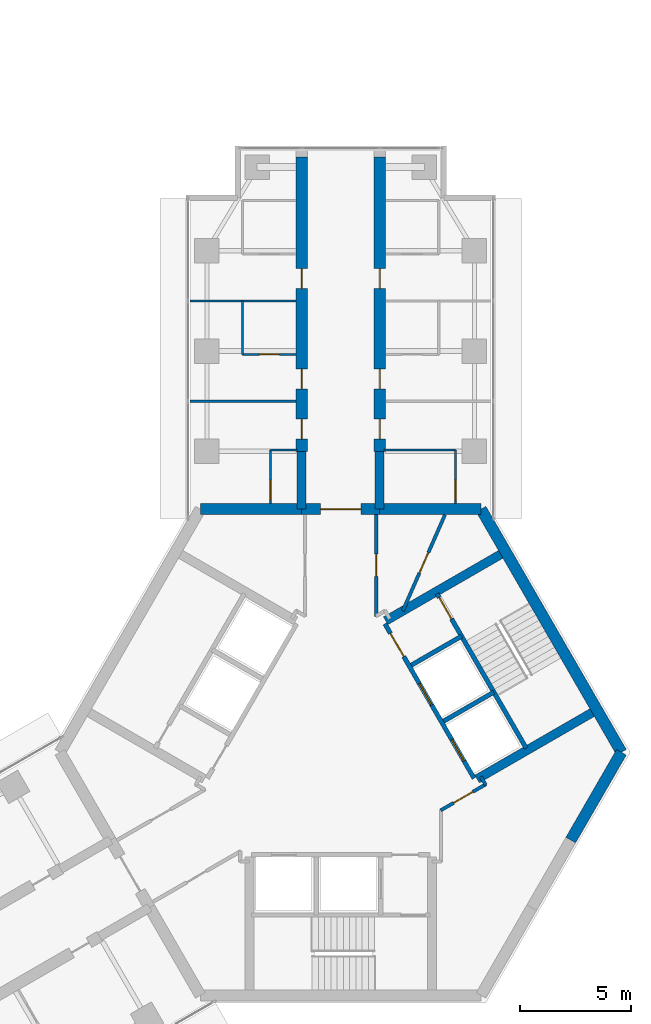
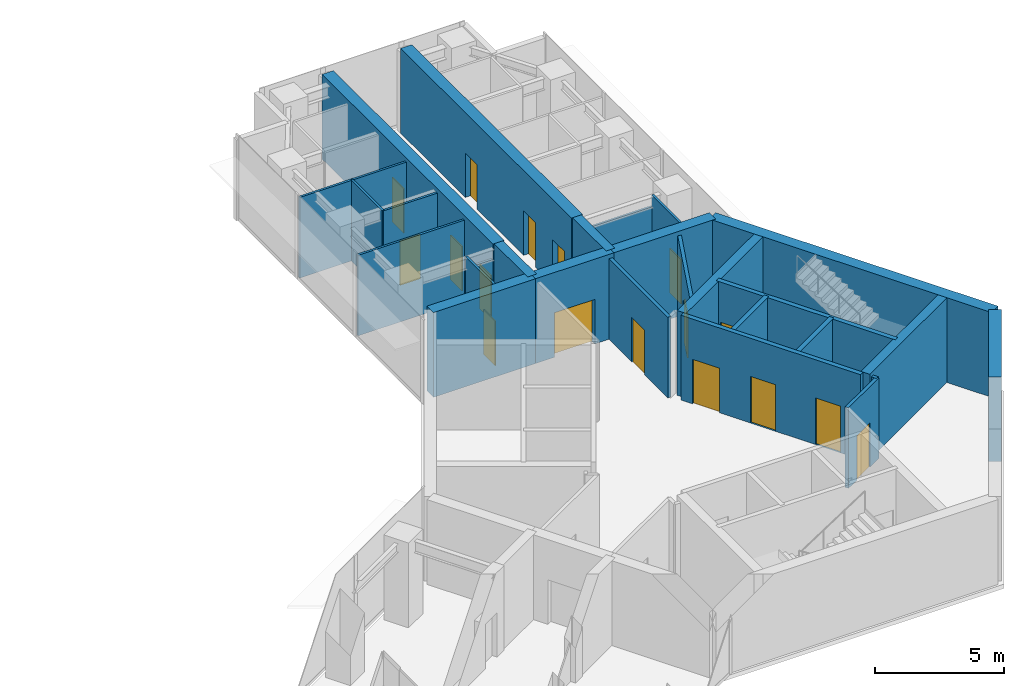
# One storey, part 15 of 18: 27 walls, 17 doors, 17 openings.
"""IFC4 building model written with IfcOpenShell, lengths in metres."""

from ifc_helpers import new_model, si_unit, direction, frame, frame_2d, origin, place, context, subcontext, project, spatial, rectangle, extrude, material, layer, layer_set, type_object, element, fill, save


model = new_model("IFC4")

# Units and contexts
model_context = context("Model", 3, precision=1e-05, world=origin(), true_north=direction((0.0, 1.0)))
body_context = subcontext(model_context, "Body", "Model", "MODEL_VIEW")
ifc_project = project(units=[si_unit("LENGTHUNIT", "METRE"), si_unit("AREAUNIT", "SQUARE_METRE"), si_unit("VOLUMEUNIT", "CUBIC_METRE"), si_unit("PLANEANGLEUNIT", "RADIAN"), si_unit("MASSUNIT", "GRAM", prefix="KILO")], contexts=[model_context])

# Site, building, storey
site_placement = place(None, origin())
site = spatial("IfcSite", under=ifc_project, at=site_placement, CompositionType="ELEMENT")
building_placement = place(site_placement, origin())
building = spatial("IfcBuilding", under=site, at=building_placement, Name="Upepo Twin Towers", CompositionType="ELEMENT")
storey_placement = place(building_placement, frame((0.0, 0.0, 226.5)))
storey = spatial("IfcBuildingStorey", under=building, at=storey_placement, Name="L55", CompositionType="ELEMENT", Elevation=226.5)

# Walls
ifc_material_1 = material(Name="Concrete C60/75", Category="concrete")
ifc_layer_1 = layer(ifc_material_1, 0.39990234375)
ifc_layer_set_1 = layer_set([ifc_layer_1], Name="Concrete C60/75")
wall_type_1 = type_object("IfcWallType", Name="Buttress wall 400 RC", PredefinedType="SHEAR", material=ifc_layer_set_1)
for number, where, z_axis, x_axis, name in (
    (1, (56.75, -7.091552734375, 0.0), (0.0, 0.0, 1.0), (0.0, 1.0, 0.0), "T2 wing A buttress wall L"),
    (2, (60.25, -7.091552734375, 0.0), (0.0, 0.0, 1.0), (0.0, 1.0, 0.0), "T2 wing A buttress wall R"),
):
    element("IfcWall", number, at=place(storey_placement, frame(where, z_axis=z_axis, x_axis=x_axis)), inside=storey, type_object=wall_type_1, Name=name, PredefinedType="SHEAR", context=body_context, shape_type="SweptSolid", body=[
        extrude(rectangle(XDim=2.591552734375, YDim=0.39990234375, at=frame_2d((1.2958984375, 0.0))), origin(), (0.0, 0.0, 1.0), 4.0),
    ])

# Wall, openings, doors
ifc_material_2 = material(Name="Concrete C60/75", Category="concrete")
ifc_layer_2 = layer(ifc_material_2, 0.5)
ifc_layer_set_2 = layer_set([ifc_layer_2], Name="Concrete C60/75")
wall_type_2 = type_object("IfcWallType", Name="Buttress wall 500 RC", PredefinedType="SHEAR", material=ifc_layer_set_2)
wall_1_placement = place(storey_placement, frame((56.75, -4.5, 0.0), z_axis=(0.0, 0.0, 1.0), x_axis=(0.0, 1.0, 0.0)))
wall_1 = element("IfcWall", 3, at=wall_1_placement, inside=storey, type_object=wall_type_2, Name="T2 wing A buttress wall L part 2", PredefinedType="SHEAR", context=body_context, shape_type="SweptSolid", body=[
    extrude(rectangle(XDim=13.199951171875, YDim=0.5, at=frame_2d((6.60009765625, 0.0))), origin(), (0.0, 0.0, 1.0), 4.0),
])
opening_1_placement = place(wall_1_placement, frame((0.550048828125, 0.0, 0.0)))
opening_1 = element("IfcOpeningElement", 4, at=opening_1_placement, cuts=wall_1, Name="Opening D11", PredefinedType="OPENING", context=body_context, shape_type="SweptSolid", body=[
    extrude(rectangle(XDim=0.89990234375, YDim=2.10009765625, at=frame_2d((0.449951171875, 1.050048828125))), frame((0.0, 0.260009765625, 0.0), z_axis=(0.0, -1.0, 0.0), x_axis=(1.0, 0.0, 0.0)), (0.0, 0.0, 1.0), 0.52001953125),
])
opening_2_placement = place(wall_1_placement, frame((2.800048828125, 0.0, 0.0)))
opening_2 = element("IfcOpeningElement", 5, at=opening_2_placement, cuts=wall_1, Name="Opening D14", PredefinedType="OPENING", context=body_context, shape_type="SweptSolid", body=[
    extrude(rectangle(XDim=0.89990234375, YDim=2.10009765625, at=frame_2d((0.449951171875, 1.050048828125))), frame((0.0, 0.260009765625, 0.0), z_axis=(0.0, -1.0, 0.0), x_axis=(1.0, 0.0, 0.0)), (0.0, 0.0, 1.0), 0.52001953125),
])
opening_3_placement = place(wall_1_placement, frame((7.300048828125, 0.0, 0.0)))
opening_3 = element("IfcOpeningElement", 6, at=opening_3_placement, cuts=wall_1, Name="Opening D14", PredefinedType="OPENING", context=body_context, shape_type="SweptSolid", body=[
    extrude(rectangle(XDim=0.89990234375, YDim=2.10009765625, at=frame_2d((0.449951171875, 1.050048828125))), frame((0.0, 0.260009765625, 0.0), z_axis=(0.0, -1.0, 0.0), x_axis=(1.0, 0.0, 0.0)), (0.0, 0.0, 1.0), 0.52001953125),
])
ifc_material_3 = material(Name="Timber doorset", Category="wood")
door_type_1 = type_object("IfcDoorType", Name="Office door 900 FD30", OperationType="SINGLE_SWING_LEFT", PredefinedType="DOOR", material=ifc_material_3)
door_1_placement = place(opening_2_placement, origin())
door_1 = element("IfcDoor", 7, at=door_1_placement, inside=storey, type_object=door_type_1, Name="T2 L55 staff office door", OperationType="SINGLE_SWING_LEFT", OverallHeight=2.10009765625, OverallWidth=0.89990234375, PredefinedType="DOOR", context=body_context, shape_type="SweptSolid", body=[
    extrude(rectangle(XDim=0.89990234375, YDim=2.10009765625, at=frame_2d((0.449951171875, 1.050048828125))), frame((0.0, 0.02490234375, 0.0), z_axis=(0.0, -1.0, 0.0), x_axis=(1.0, 0.0, 0.0)), (0.0, 0.0, 1.0), 0.050048828125),
])
fill(opening_2, door_1)
door_2_placement = place(opening_3_placement, origin())
door_2 = element("IfcDoor", 8, at=door_2_placement, inside=storey, type_object=door_type_1, Name="T2 L55 meeting room door", OperationType="SINGLE_SWING_RIGHT", OverallHeight=2.10009765625, OverallWidth=0.89990234375, PredefinedType="DOOR", context=body_context, shape_type="SweptSolid", body=[
    extrude(rectangle(XDim=0.89990234375, YDim=2.10009765625, at=frame_2d((0.449951171875, 1.050048828125))), frame((0.0, 0.02490234375, 0.0), z_axis=(0.0, -1.0, 0.0), x_axis=(1.0, 0.0, 0.0)), (0.0, 0.0, 1.0), 0.050048828125),
])
fill(opening_3, door_2)
ifc_material_4 = material(Name="Timber doorset", Category="wood")
door_type_2 = type_object("IfcDoorType", Name="Toilet door 900", OperationType="SINGLE_SWING_LEFT", PredefinedType="DOOR", material=ifc_material_4)
door_3_placement = place(opening_1_placement, origin())
door_3 = element("IfcDoor", 9, at=door_3_placement, inside=storey, type_object=door_type_2, Name="T2 L55 toilets door", OperationType="SINGLE_SWING_LEFT", OverallHeight=2.10009765625, OverallWidth=0.89990234375, PredefinedType="DOOR", context=body_context, shape_type="SweptSolid", body=[
    extrude(rectangle(XDim=0.89990234375, YDim=2.10009765625, at=frame_2d((0.449951171875, 1.050048828125))), frame((0.0, 0.02490234375, 0.0), z_axis=(0.0, -1.0, 0.0), x_axis=(1.0, 0.0, 0.0)), (0.0, 0.0, 1.0), 0.050048828125),
])
fill(opening_1, door_3)

wall_2_placement = place(storey_placement, frame((60.25, -4.5, 0.0), z_axis=(0.0, 0.0, 1.0), x_axis=(0.0, 1.0, 0.0)))
wall_2 = element("IfcWall", 10, at=wall_2_placement, inside=storey, type_object=wall_type_2, Name="T2 wing A buttress wall R part 2", PredefinedType="SHEAR", context=body_context, shape_type="SweptSolid", body=[
    extrude(rectangle(XDim=13.199951171875, YDim=0.5, at=frame_2d((6.60009765625, 0.0))), origin(), (0.0, 0.0, 1.0), 4.0),
])
opening_4_placement = place(wall_2_placement, frame((0.550048828125, 0.0, 0.0)))
opening_4 = element("IfcOpeningElement", 11, at=opening_4_placement, cuts=wall_2, Name="Opening D11", PredefinedType="OPENING", context=body_context, shape_type="SweptSolid", body=[
    extrude(rectangle(XDim=0.89990234375, YDim=2.10009765625, at=frame_2d((0.449951171875, 1.050048828125))), frame((0.0, 0.260009765625, 0.0), z_axis=(0.0, -1.0, 0.0), x_axis=(1.0, 0.0, 0.0)), (0.0, 0.0, 1.0), 0.52001953125),
])
opening_5_placement = place(wall_2_placement, frame((2.800048828125, 0.0, 0.0)))
opening_5 = element("IfcOpeningElement", 12, at=opening_5_placement, cuts=wall_2, Name="Opening D14", PredefinedType="OPENING", context=body_context, shape_type="SweptSolid", body=[
    extrude(rectangle(XDim=0.89990234375, YDim=2.10009765625, at=frame_2d((0.449951171875, 1.050048828125))), frame((0.0, 0.260009765625, 0.0), z_axis=(0.0, -1.0, 0.0), x_axis=(1.0, 0.0, 0.0)), (0.0, 0.0, 1.0), 0.52001953125),
])
opening_6_placement = place(wall_2_placement, frame((7.300048828125, 0.0, 0.0)))
opening_6 = element("IfcOpeningElement", 13, at=opening_6_placement, cuts=wall_2, Name="Opening D14", PredefinedType="OPENING", context=body_context, shape_type="SweptSolid", body=[
    extrude(rectangle(XDim=0.89990234375, YDim=2.10009765625, at=frame_2d((0.449951171875, 1.050048828125))), frame((0.0, 0.260009765625, 0.0), z_axis=(0.0, -1.0, 0.0), x_axis=(1.0, 0.0, 0.0)), (0.0, 0.0, 1.0), 0.52001953125),
])
door_4_placement = place(opening_5_placement, origin())
door_4 = element("IfcDoor", 14, at=door_4_placement, inside=storey, type_object=door_type_1, Name="T2 L55 staff office door", OperationType="SINGLE_SWING_LEFT", OverallHeight=2.10009765625, OverallWidth=0.89990234375, PredefinedType="DOOR", context=body_context, shape_type="SweptSolid", body=[
    extrude(rectangle(XDim=0.89990234375, YDim=2.10009765625, at=frame_2d((0.449951171875, 1.050048828125))), frame((0.0, 0.02490234375, 0.0), z_axis=(0.0, -1.0, 0.0), x_axis=(1.0, 0.0, 0.0)), (0.0, 0.0, 1.0), 0.050048828125),
])
fill(opening_5, door_4)
door_5_placement = place(opening_6_placement, origin())
door_5 = element("IfcDoor", 15, at=door_5_placement, inside=storey, type_object=door_type_1, Name="T2 L55 postgraduate office door", OperationType="SINGLE_SWING_RIGHT", OverallHeight=2.10009765625, OverallWidth=0.89990234375, PredefinedType="DOOR", context=body_context, shape_type="SweptSolid", body=[
    extrude(rectangle(XDim=0.89990234375, YDim=2.10009765625, at=frame_2d((0.449951171875, 1.050048828125))), frame((0.0, 0.02490234375, 0.0), z_axis=(0.0, -1.0, 0.0), x_axis=(1.0, 0.0, 0.0)), (0.0, 0.0, 1.0), 0.050048828125),
])
fill(opening_6, door_5)
door_6_placement = place(opening_4_placement, origin())
door_6 = element("IfcDoor", 16, at=door_6_placement, inside=storey, type_object=door_type_2, Name="T2 L55 accessible wc door", OperationType="SINGLE_SWING_LEFT", OverallHeight=2.10009765625, OverallWidth=0.89990234375, PredefinedType="DOOR", context=body_context, shape_type="SweptSolid", body=[
    extrude(rectangle(XDim=0.89990234375, YDim=2.10009765625, at=frame_2d((0.449951171875, 1.050048828125))), frame((0.0, 0.02490234375, 0.0), z_axis=(0.0, -1.0, 0.0), x_axis=(1.0, 0.0, 0.0)), (0.0, 0.0, 1.0), 0.050048828125),
])
fill(opening_4, door_6)

# Wall
ifc_material_5 = material(Name="Concrete C60/75", Category="concrete")
ifc_layer_3 = layer(ifc_material_5, 0.5)
ifc_layer_set_3 = layer_set([ifc_layer_3], Name="Concrete C60/75")
wall_type_3 = type_object("IfcWallType", Name="Core wall 500 RC", PredefinedType="SHEAR", material=ifc_layer_set_3)
wall_3_placement = place(storey_placement, frame((64.7978515625, -7.091552734375, 0.0), z_axis=(0.0, 0.0, 1.0), x_axis=(-1.0, 0.0, 0.0)))
element("IfcWall", 17, at=wall_3_placement, inside=storey, type_object=wall_type_3, Name="T2 core wall 000 R", PredefinedType="SHEAR", context=body_context, shape_type="SweptSolid", body=[
    extrude(rectangle(XDim=4.5478515625, YDim=0.5, at=frame_2d((2.27392578125, 0.0))), origin(), (0.0, 0.0, 1.0), 4.0),
])

# Wall, opening, door
wall_4_placement = place(storey_placement, frame((60.25, -7.091552734375, 0.0), z_axis=(0.0, 0.0, 1.0), x_axis=(-1.0, 0.0, 0.0)))
wall_4 = element("IfcWall", 18, at=wall_4_placement, inside=storey, type_object=wall_type_3, Name="T2 core wall 000", PredefinedType="SHEAR", context=body_context, shape_type="SweptSolid", body=[
    extrude(rectangle(XDim=3.5, YDim=0.5, at=frame_2d((1.75, 0.0))), origin(), (0.0, 0.0, 1.0), 4.0),
])
opening_7_placement = place(wall_4_placement, frame((0.85009765625, 0.0, 0.0)))
opening_7 = element("IfcOpeningElement", 19, at=opening_7_placement, cuts=wall_4, Name="Opening D2", PredefinedType="OPENING", context=body_context, shape_type="SweptSolid", body=[
    extrude(rectangle(XDim=1.800048828125, YDim=2.10009765625, at=frame_2d((0.89990234375, 1.050048828125))), frame((0.0, 0.260009765625, 0.0), z_axis=(0.0, -1.0, 0.0), x_axis=(1.0, 0.0, 0.0)), (0.0, 0.0, 1.0), 0.52001953125),
])
ifc_material_6 = material(Name="Timber doorset", Category="wood")
door_type_3 = type_object("IfcDoorType", Name="Corridor double door 1800 FD60", OperationType="DOUBLE_DOOR_DOUBLE_SWING", PredefinedType="DOOR", material=ifc_material_6)
door_7_placement = place(opening_7_placement, origin())
door_7 = element("IfcDoor", 20, at=door_7_placement, inside=storey, type_object=door_type_3, Name="T2 L55 wing A corridor door", OperationType="DOUBLE_DOOR_DOUBLE_SWING", OverallHeight=2.10009765625, OverallWidth=1.800048828125, PredefinedType="DOOR", context=body_context, shape_type="SweptSolid", body=[
    extrude(rectangle(XDim=1.800048828125, YDim=2.10009765625, at=frame_2d((0.89990234375, 1.050048828125))), frame((0.0, 0.02490234375, 0.0), z_axis=(0.0, -1.0, 0.0), x_axis=(1.0, 0.0, 0.0)), (0.0, 0.0, 1.0), 0.050048828125),
])
fill(opening_7, door_7)

# Walls
wall_5_placement = place(storey_placement, frame((56.75, -7.091552734375, 0.0), z_axis=(0.0, 0.0, 1.0), x_axis=(-1.0, 0.0, 0.0)))
element("IfcWall", 21, at=wall_5_placement, inside=storey, type_object=wall_type_3, Name="T2 core wall 000 L", PredefinedType="SHEAR", context=body_context, shape_type="SweptSolid", body=[
    extrude(rectangle(XDim=4.5478515625, YDim=0.5, at=frame_2d((2.27392578125, 0.0))), origin(), (0.0, 0.0, 1.0), 4.0),
])
wall_6_placement = place(storey_placement, frame((68.82177734375, -21.938720703125, 0.0), z_axis=(0.0, 0.0, 1.0), x_axis=(0.500024481964, 0.866011268655, 0.0)))
element("IfcWall", 22, at=wall_6_placement, inside=storey, type_object=wall_type_3, Name="T2 core wall 240 L", PredefinedType="SHEAR", context=body_context, shape_type="SweptSolid", body=[
    extrude(rectangle(XDim=4.548095703125, YDim=0.5, at=frame_2d((2.27392578125, 0.0))), origin(), (0.0, 0.0, 1.0), 4.0),
])
wall_7_placement = place(storey_placement, frame((71.095947265625, -18.0, 0.0), z_axis=(0.0, 0.0, 1.0), x_axis=(-0.500005998175, 0.866021940709, 0.0)))
element("IfcWall", 23, at=wall_7_placement, inside=storey, type_object=wall_type_3, Name="T2 core wall 300", PredefinedType="SHEAR", context=body_context, shape_type="SweptSolid", body=[
    extrude(rectangle(XDim=12.595947265625, YDim=0.5, at=frame_2d((6.2978515625, 0.0))), origin(), (0.0, 0.0, 1.0), 4.0),
])
ifc_material_7 = material(Name="Gypsum board on steel studs", Category="steel")
ifc_layer_4 = layer(ifc_material_7, 0.10009765625)
ifc_layer_set_4 = layer_set([ifc_layer_4], Name="Office partition 100 stud")
wall_type_4 = type_object("IfcWallType", Name="Office partition 100 stud", PredefinedType="PARTITIONING", material=ifc_layer_set_4)
for number, where, z_axis, x_axis, name in (
    (24, (56.5, -2.25, 0.0), (0.0, 0.0, 1.0), (-1.0, 0.0, 0.0), "T2 partition AL at 15.75"),
    (25, (56.5, 2.25, 0.0), (0.0, 0.0, 1.0), (-1.0, 0.0, 0.0), "T2 partition AL at 20.25"),
):
    element("IfcWall", number, at=place(storey_placement, frame(where, z_axis=z_axis, x_axis=x_axis)), inside=storey, type_object=wall_type_4, Name=name, PredefinedType="PARTITIONING", context=body_context, shape_type="SweptSolid", body=[
        extrude(rectangle(XDim=4.75, YDim=0.10009765625, at=frame_2d((2.375, 0.0))), origin(), (0.0, 0.0, 1.0), 3.800048828125),
    ])
wall_8_placement = place(storey_placement, frame((54.10009765625, -0.14990234375, 0.0), z_axis=(0.0, 0.0, 1.0), x_axis=(0.0, 1.0, 0.0)))
element("IfcWall", 26, at=wall_8_placement, inside=storey, type_object=wall_type_4, Name="T2 inner room partition AL at 17.85", PredefinedType="PARTITIONING", context=body_context, shape_type="SweptSolid", body=[
    extrude(rectangle(XDim=2.39990234375, YDim=0.10009765625, at=frame_2d((1.199951171875, 0.0))), origin(), (0.0, 0.0, 1.0), 3.800048828125),
])

# Wall, opening, door
wall_9_placement = place(storey_placement, frame((56.5, -0.14990234375, 0.0), z_axis=(0.0, 0.0, 1.0), x_axis=(-1.0, 0.0, 0.0)))
wall_9 = element("IfcWall", 27, at=wall_9_placement, inside=storey, type_object=wall_type_4, Name="T2 inner room partition AL end at 17.85", PredefinedType="PARTITIONING", context=body_context, shape_type="SweptSolid", body=[
    extrude(rectangle(XDim=2.39990234375, YDim=0.10009765625, at=frame_2d((1.199951171875, 0.0))), origin(), (0.0, 0.0, 1.0), 3.800048828125),
])
opening_8_placement = place(wall_9_placement, frame((0.75, 0.0, 0.0)))
opening_8 = element("IfcOpeningElement", 28, at=opening_8_placement, cuts=wall_9, Name="Opening D14", PredefinedType="OPENING", context=body_context, shape_type="SweptSolid", body=[
    extrude(rectangle(XDim=0.89990234375, YDim=2.10009765625, at=frame_2d((0.449951171875, 1.050048828125))), frame((0.0, 0.06005859375, 0.0), z_axis=(0.0, -1.0, 0.0), x_axis=(1.0, 0.0, 0.0)), (0.0, 0.0, 1.0), 0.1201171875),
])
door_8_placement = place(opening_8_placement, origin())
door_8 = element("IfcDoor", 29, at=door_8_placement, inside=storey, type_object=door_type_1, Name="T2 L55 inner room door", OperationType="SINGLE_SWING_LEFT", OverallHeight=2.10009765625, OverallWidth=0.89990234375, PredefinedType="DOOR", context=body_context, shape_type="SweptSolid", body=[
    extrude(rectangle(XDim=0.89990234375, YDim=2.10009765625, at=frame_2d((0.449951171875, 1.050048828125))), frame((0.0, 0.02490234375, 0.0), z_axis=(0.0, -1.0, 0.0), x_axis=(1.0, 0.0, 0.0)), (0.0, 0.0, 1.0), 0.050048828125),
])
fill(opening_8, door_8)

wall_10_placement = place(storey_placement, frame((55.35009765625, -6.842041015625, 0.0), z_axis=(0.0, 0.0, 1.0), x_axis=(0.0, 1.0, 0.0)))
wall_10 = element("IfcWall", 30, at=wall_10_placement, inside=storey, type_object=wall_type_4, Name="T2 WC bay partition AL at 11.16", PredefinedType="PARTITIONING", context=body_context, shape_type="SweptSolid", body=[
    extrude(rectangle(XDim=2.400146484375, YDim=0.10009765625, at=frame_2d((1.2001953125, 0.0))), origin(), (0.0, 0.0, 1.0), 3.800048828125),
])
opening_9_placement = place(wall_10_placement, frame((0.14990234375, 0.0, 0.0)))
opening_9 = element("IfcOpeningElement", 31, at=opening_9_placement, cuts=wall_10, Name="Opening D14", PredefinedType="OPENING", context=body_context, shape_type="SweptSolid", body=[
    extrude(rectangle(XDim=0.89990234375, YDim=2.10009765625, at=frame_2d((0.449951171875, 1.050048828125))), frame((0.0, 0.06005859375, 0.0), z_axis=(0.0, -1.0, 0.0), x_axis=(1.0, 0.0, 0.0)), (0.0, 0.0, 1.0), 0.1201171875),
])
door_9_placement = place(opening_9_placement, origin())
door_9 = element("IfcDoor", 32, at=door_9_placement, inside=storey, type_object=door_type_1, Name="T2 L55 WC bay inner room door", OperationType="SINGLE_SWING_LEFT", OverallHeight=2.10009765625, OverallWidth=0.89990234375, PredefinedType="DOOR", context=body_context, shape_type="SweptSolid", body=[
    extrude(rectangle(XDim=0.89990234375, YDim=2.10009765625, at=frame_2d((0.449951171875, 1.050048828125))), frame((0.0, 0.02490234375, 0.0), z_axis=(0.0, -1.0, 0.0), x_axis=(1.0, 0.0, 0.0)), (0.0, 0.0, 1.0), 0.050048828125),
])
fill(opening_9, door_9)

# Wall
wall_11_placement = place(storey_placement, frame((56.550048828125, -4.44189453125, 0.0), z_axis=(0.0, 0.0, 1.0), x_axis=(-1.0, 0.0, 0.0)))
element("IfcWall", 33, at=wall_11_placement, inside=storey, type_object=wall_type_4, Name="T2 WC bay partition AL end at 13.56", PredefinedType="PARTITIONING", context=body_context, shape_type="SweptSolid", body=[
    extrude(rectangle(XDim=1.199951171875, YDim=0.10009765625, at=frame_2d((0.60009765625, 0.0))), origin(), (0.0, 0.0, 1.0), 3.266845703125),
])

# Wall, opening, door
wall_12_placement = place(storey_placement, frame((63.64990234375, -6.842041015625, 0.0), z_axis=(0.0, 0.0, 1.0), x_axis=(0.0, 1.0, 0.0)))
wall_12 = element("IfcWall", 34, at=wall_12_placement, inside=storey, type_object=wall_type_4, Name="T2 WC bay partition AR at 11.16", PredefinedType="PARTITIONING", context=body_context, shape_type="SweptSolid", body=[
    extrude(rectangle(XDim=2.400146484375, YDim=0.10009765625, at=frame_2d((1.2001953125, 0.0))), origin(), (0.0, 0.0, 1.0), 3.800048828125),
])
opening_10_placement = place(wall_12_placement, frame((0.14990234375, 0.0, 0.0)))
opening_10 = element("IfcOpeningElement", 35, at=opening_10_placement, cuts=wall_12, Name="Opening D14", PredefinedType="OPENING", context=body_context, shape_type="SweptSolid", body=[
    extrude(rectangle(XDim=0.89990234375, YDim=2.10009765625, at=frame_2d((0.449951171875, 1.050048828125))), frame((0.0, 0.06005859375, 0.0), z_axis=(0.0, -1.0, 0.0), x_axis=(1.0, 0.0, 0.0)), (0.0, 0.0, 1.0), 0.1201171875),
])
door_10_placement = place(opening_10_placement, origin())
door_10 = element("IfcDoor", 36, at=door_10_placement, inside=storey, type_object=door_type_1, Name="T2 L55 WC bay inner room door", OperationType="SINGLE_SWING_LEFT", OverallHeight=2.10009765625, OverallWidth=0.89990234375, PredefinedType="DOOR", context=body_context, shape_type="SweptSolid", body=[
    extrude(rectangle(XDim=0.89990234375, YDim=2.10009765625, at=frame_2d((0.449951171875, 1.050048828125))), frame((0.0, 0.02490234375, 0.0), z_axis=(0.0, -1.0, 0.0), x_axis=(1.0, 0.0, 0.0)), (0.0, 0.0, 1.0), 0.050048828125),
])
fill(opening_10, door_10)

# Wall
wall_13_placement = place(storey_placement, frame((60.449951171875, -4.44189453125, 0.0), z_axis=(0.0, 0.0, 1.0), x_axis=(1.0, 0.0, 0.0)))
element("IfcWall", 37, at=wall_13_placement, inside=storey, type_object=wall_type_4, Name="T2 WC bay partition AR end at 13.56", PredefinedType="PARTITIONING", context=body_context, shape_type="SweptSolid", body=[
    extrude(rectangle(XDim=3.199951171875, YDim=0.10009765625, at=frame_2d((1.60009765625, 0.0))), origin(), (0.0, 0.0, 1.0), 3.266845703125),
])

# Wall, openings, doors
ifc_material_8 = material(Name="Concrete C40/50", Category="concrete")
ifc_layer_5 = layer(ifc_material_8, 0.199951171875)
ifc_layer_set_5 = layer_set([ifc_layer_5], Name="Concrete C40/50")
wall_type_5 = type_object("IfcWallType", Name="Shaft wall 200 RC", PredefinedType="SHEAR", material=ifc_layer_set_5)
wall_14_placement = place(storey_placement, frame((64.483642578125, -19.1640625, 0.0), z_axis=(0.0, 0.0, 1.0), x_axis=(-0.49999894854, 0.866026010844, 0.0)))
wall_14 = element("IfcWall", 38, at=wall_14_placement, inside=storey, type_object=wall_type_5, Name="T2 core W300 front wall", PredefinedType="SHEAR", context=body_context, shape_type="SweptSolid", body=[
    extrude(rectangle(XDim=8.0, YDim=0.199951171875, at=frame_2d((4.0, 0.0))), origin(), (0.0, 0.0, 1.0), 4.0),
])
opening_11_placement = place(wall_14_placement, frame((6.300048828125, 0.0, 0.0)))
opening_11 = element("IfcOpeningElement", 39, at=opening_11_placement, cuts=wall_14, Name="Opening D4", PredefinedType="OPENING", context=body_context, shape_type="SweptSolid", body=[
    extrude(rectangle(XDim=1.199951171875, YDim=2.10009765625, at=frame_2d((0.60009765625, 1.050048828125))), frame((0.0, 0.10986328125, 0.0), z_axis=(0.0, -1.0, 0.0), x_axis=(1.0, 0.0, 0.0)), (0.0, 0.0, 1.0), 0.219970703125),
])
opening_12_placement = place(wall_14_placement, frame((0.89990234375, 0.0, 0.0)))
opening_12 = element("IfcOpeningElement", 40, at=opening_12_placement, cuts=wall_14, Name="Opening LD1", PredefinedType="OPENING", context=body_context, shape_type="SweptSolid", body=[
    extrude(rectangle(XDim=1.10009765625, YDim=2.199951171875, at=frame_2d((0.550048828125, 1.10009765625))), frame((0.0, 0.10986328125, 0.0), z_axis=(0.0, -1.0, 0.0), x_axis=(1.0, 0.0, 0.0)), (0.0, 0.0, 1.0), 0.219970703125),
])
opening_13_placement = place(wall_14_placement, frame((3.800048828125, 0.0, 0.0)))
opening_13 = element("IfcOpeningElement", 41, at=opening_13_placement, cuts=wall_14, Name="Opening LD1", PredefinedType="OPENING", context=body_context, shape_type="SweptSolid", body=[
    extrude(rectangle(XDim=1.10009765625, YDim=2.199951171875, at=frame_2d((0.550048828125, 1.10009765625))), frame((0.0, 0.10986328125, 0.0), z_axis=(0.0, -1.0, 0.0), x_axis=(1.0, 0.0, 0.0)), (0.0, 0.0, 1.0), 0.219970703125),
])
ifc_material_9 = material(Name="Steel doorset", Category="steel")
door_type_4 = type_object("IfcDoorType", Name="Lift landing door 1100", OperationType="DOUBLE_DOOR_SLIDING", PredefinedType="DOOR", material=ifc_material_9)
door_11_placement = place(opening_12_placement, origin())
door_11 = element("IfcDoor", 42, at=door_11_placement, inside=storey, type_object=door_type_4, Name="T2 L55 lift UL1 landing door", OperationType="DOUBLE_DOOR_SLIDING", OverallHeight=2.199951171875, OverallWidth=1.10009765625, PredefinedType="DOOR", context=body_context, shape_type="SweptSolid", body=[
    extrude(rectangle(XDim=1.10009765625, YDim=2.199951171875, at=frame_2d((0.550048828125, 1.10009765625))), frame((0.0, 0.02490234375, 0.0), z_axis=(0.0, -1.0, 0.0), x_axis=(1.0, 0.0, 0.0)), (0.0, 0.0, 1.0), 0.050048828125),
])
fill(opening_12, door_11)
door_12_placement = place(opening_13_placement, origin())
door_12 = element("IfcDoor", 43, at=door_12_placement, inside=storey, type_object=door_type_4, Name="T2 L55 lift UL2 landing door", OperationType="DOUBLE_DOOR_SLIDING", OverallHeight=2.199951171875, OverallWidth=1.10009765625, PredefinedType="DOOR", context=body_context, shape_type="SweptSolid", body=[
    extrude(rectangle(XDim=1.10009765625, YDim=2.199951171875, at=frame_2d((0.550048828125, 1.10009765625))), frame((0.0, 0.02490234375, 0.0), z_axis=(0.0, -1.0, 0.0), x_axis=(1.0, 0.0, 0.0)), (0.0, 0.0, 1.0), 0.050048828125),
])
fill(opening_13, door_12)
ifc_material_10 = material(Name="Timber doorset", Category="wood")
door_type_5 = type_object("IfcDoorType", Name="Lobby door 1200 FD60", OperationType="SINGLE_SWING_LEFT", PredefinedType="DOOR", material=ifc_material_10)
door_13_placement = place(opening_11_placement, origin())
door_13 = element("IfcDoor", 44, at=door_13_placement, inside=storey, type_object=door_type_5, Name="T2 L55 W300 lobby door", OperationType="SINGLE_SWING_RIGHT", OverallHeight=2.10009765625, OverallWidth=1.199951171875, PredefinedType="DOOR", context=body_context, shape_type="SweptSolid", body=[
    extrude(rectangle(XDim=1.199951171875, YDim=2.10009765625, at=frame_2d((0.60009765625, 1.050048828125))), frame((0.0, 0.02490234375, 0.0), z_axis=(0.0, -1.0, 0.0), x_axis=(1.0, 0.0, 0.0)), (0.0, 0.0, 1.0), 0.050048828125),
])
fill(opening_11, door_13)

# Walls
wall_15_placement = place(storey_placement, frame((63.120361328125, -16.6025390625, 0.0), z_axis=(0.0, 0.0, 1.0), x_axis=(0.866062058628, 0.499936506574, 0.0)))
element("IfcWall", 45, at=wall_15_placement, inside=storey, type_object=wall_type_5, Name="T2 core W300 shaft divider", PredefinedType="SHEAR", context=body_context, shape_type="SweptSolid", body=[
    extrude(rectangle(XDim=2.599853515625, YDim=0.199951171875, at=frame_2d((1.2998046875, 0.0))), origin(), (0.0, 0.0, 1.0), 4.0),
])
wall_16_placement = place(storey_placement, frame((61.67041015625, -14.091064453125, 0.0), z_axis=(0.0, 0.0, 1.0), x_axis=(0.86603858612, 0.49997716683, 0.0)))
element("IfcWall", 46, at=wall_16_placement, inside=storey, type_object=wall_type_5, Name="T2 core W300 lobby wall", PredefinedType="SHEAR", context=body_context, shape_type="SweptSolid", body=[
    extrude(rectangle(XDim=2.599609375, YDim=0.199951171875, at=frame_2d((1.2998046875, 0.0))), origin(), (0.0, 0.0, 1.0), 4.0),
])

# Wall, opening, door
wall_17_placement = place(storey_placement, frame((66.822021484375, -17.814208984375, 0.0), z_axis=(0.0, 0.0, 1.0), x_axis=(-0.49999894854, 0.866026010844, 0.0)))
wall_17 = element("IfcWall", 47, at=wall_17_placement, inside=storey, type_object=wall_type_5, Name="T2 core W300 stair wall", PredefinedType="SHEAR", context=body_context, shape_type="SweptSolid", body=[
    extrude(rectangle(XDim=8.0, YDim=0.199951171875, at=frame_2d((4.0, 0.0))), origin(), (0.0, 0.0, 1.0), 4.0),
])
opening_14_placement = place(wall_17_placement, frame((6.699951171875, 0.0, 0.0)))
opening_14 = element("IfcOpeningElement", 48, at=opening_14_placement, cuts=wall_17, Name="Opening D3", PredefinedType="OPENING", context=body_context, shape_type="SweptSolid", body=[
    extrude(rectangle(XDim=1.10009765625, YDim=2.10009765625, at=frame_2d((0.550048828125, 1.050048828125))), frame((0.0, 0.10986328125, 0.0), z_axis=(0.0, -1.0, 0.0), x_axis=(1.0, 0.0, 0.0)), (0.0, 0.0, 1.0), 0.219970703125),
])
ifc_material_11 = material(Name="Timber doorset", Category="wood")
door_type_6 = type_object("IfcDoorType", Name="Stair door 1100 FD60", OperationType="SINGLE_SWING_LEFT", PredefinedType="DOOR", material=ifc_material_11)
door_14_placement = place(opening_14_placement, origin())
door_14 = element("IfcDoor", 49, at=door_14_placement, inside=storey, type_object=door_type_6, Name="T2 L55 stair door", OperationType="SINGLE_SWING_RIGHT", OverallHeight=2.10009765625, OverallWidth=1.10009765625, PredefinedType="DOOR", context=body_context, shape_type="SweptSolid", body=[
    extrude(rectangle(XDim=1.10009765625, YDim=2.10009765625, at=frame_2d((0.550048828125, 1.050048828125))), frame((0.0, 0.02490234375, 0.0), z_axis=(0.0, -1.0, 0.0), x_axis=(1.0, 0.0, 0.0)), (0.0, 0.0, 1.0), 0.050048828125),
])
fill(opening_14, door_14)

# Walls
ifc_material_12 = material(Name="Concrete C40/50", Category="concrete")
ifc_layer_6 = layer(ifc_material_12, 0.39990234375)
ifc_layer_set_6 = layer_set([ifc_layer_6], Name="Concrete C40/50")
wall_type_6 = type_object("IfcWallType", Name="Shaft wall 400 RC", PredefinedType="SHEAR", material=ifc_layer_set_6)
wall_18_placement = place(storey_placement, frame((60.520263671875, -12.099365234375, 0.0), z_axis=(0.0, 0.0, 1.0), x_axis=(0.86602319114, 0.500003832394, 0.0)))
element("IfcWall", 50, at=wall_18_placement, inside=storey, type_object=wall_type_6, Name="T2 core W300 side wall N", PredefinedType="SHEAR", context=body_context, shape_type="SweptSolid", body=[
    extrude(rectangle(XDim=5.95849609375, YDim=0.39990234375, at=frame_2d((2.979248046875, 0.0))), origin(), (0.0, 0.0, 1.0), 4.0),
])
wall_19_placement = place(storey_placement, frame((64.620361328125, -19.20068359375, 0.0), z_axis=(0.0, 0.0, 1.0), x_axis=(0.866012946976, 0.500021575205, 0.0)))
element("IfcWall", 51, at=wall_19_placement, inside=storey, type_object=wall_type_6, Name="T2 core W300 side wall S", PredefinedType="SHEAR", context=body_context, shape_type="SweptSolid", body=[
    extrude(rectangle(XDim=5.958251953125, YDim=0.39990234375, at=frame_2d((2.97900390625, 0.0))), origin(), (0.0, 0.0, 1.0), 4.0),
])

# Wall, opening, door
ifc_material_13 = material(Name="Gypsum board on steel studs", Category="steel")
ifc_layer_7 = layer(ifc_material_13, 0.14990234375)
ifc_layer_set_7 = layer_set([ifc_layer_7], Name="Teaching partition 150 acoustic")
wall_type_7 = type_object("IfcWallType", Name="Teaching partition 150 acoustic", PredefinedType="PARTITIONING", material=ifc_layer_set_7)
wall_20_placement = place(storey_placement, frame((60.10009765625, -7.331787109375, 0.0), z_axis=(0.0, 0.0, 1.0), x_axis=(0.0, -1.0, 0.0)))
wall_20 = element("IfcWall", 52, at=wall_20_placement, inside=storey, type_object=wall_type_7, Name="T2 core room partition 11", PredefinedType="PARTITIONING", context=body_context, shape_type="SweptSolid", body=[
    extrude(rectangle(XDim=4.568359375, YDim=0.14990234375, at=frame_2d((2.2841796875, 0.0))), origin(), (0.0, 0.0, 1.0), 3.800048828125),
])
opening_15_placement = place(wall_20_placement, frame((1.774169921875, 0.0, 0.0)))
opening_15 = element("IfcOpeningElement", 53, at=opening_15_placement, cuts=wall_20, Name="Opening D1", PredefinedType="OPENING", context=body_context, shape_type="SweptSolid", body=[
    extrude(rectangle(XDim=1.0, YDim=2.10009765625, at=frame_2d((0.5, 1.050048828125))), frame((0.0, 0.0849609375, 0.0), z_axis=(0.0, -1.0, 0.0), x_axis=(1.0, 0.0, 0.0)), (0.0, 0.0, 1.0), 0.169921875),
])
ifc_material_14 = material(Name="Timber doorset", Category="wood")
door_type_7 = type_object("IfcDoorType", Name="Room door 1000 FD30", OperationType="SINGLE_SWING_LEFT", PredefinedType="DOOR", material=ifc_material_14)
door_15_placement = place(opening_15_placement, origin())
door_15 = element("IfcDoor", 54, at=door_15_placement, inside=storey, type_object=door_type_7, Name="T2 L55 core room door K4", OperationType="SINGLE_SWING_LEFT", OverallHeight=2.10009765625, OverallWidth=1.0, PredefinedType="DOOR", context=body_context, shape_type="SweptSolid", body=[
    extrude(rectangle(XDim=1.0, YDim=2.10009765625, at=frame_2d((0.5, 1.050048828125))), frame((0.0, 0.02490234375, 0.0), z_axis=(0.0, -1.0, 0.0), x_axis=(1.0, 0.0, 0.0)), (0.0, 0.0, 1.0), 0.050048828125),
])
fill(opening_15, door_15)

# Wall
wall_21_placement = place(storey_placement, frame((64.78857421875, -19.092041015625, 0.0), z_axis=(0.0, 0.0, 1.0), x_axis=(0.499804398801, -0.866138304741, 0.0)))
element("IfcWall", 55, at=wall_21_placement, inside=storey, type_object=wall_type_7, Name="T2 core room partition 14", PredefinedType="PARTITIONING", context=body_context, shape_type="SweptSolid", body=[
    extrude(rectangle(XDim=0.429931640625, YDim=0.14990234375, at=frame_2d((0.21484375, 0.0))), origin(), (0.0, 0.0, 1.0), 3.800048828125),
])

# Wall, opening, door
wall_22_placement = place(storey_placement, frame((65.0107421875, -19.43701171875, 0.0), z_axis=(0.0, 0.0, 1.0), x_axis=(-0.865982457891, -0.500074377092, 0.0)))
wall_22 = element("IfcWall", 56, at=wall_22_placement, inside=storey, type_object=wall_type_7, Name="T2 core room partition 15", PredefinedType="PARTITIONING", context=body_context, shape_type="SweptSolid", body=[
    extrude(rectangle(XDim=2.342041015625, YDim=0.14990234375, at=frame_2d((1.1708984375, 0.0))), origin(), (0.0, 0.0, 1.0), 3.800048828125),
])
opening_16_placement = place(wall_22_placement, frame((0.6708984375, 0.0, 0.0)))
opening_16 = element("IfcOpeningElement", 57, at=opening_16_placement, cuts=wall_22, Name="Opening D1", PredefinedType="OPENING", context=body_context, shape_type="SweptSolid", body=[
    extrude(rectangle(XDim=1.0, YDim=2.10009765625, at=frame_2d((0.5, 1.050048828125))), frame((0.0, 0.0849609375, 0.0), z_axis=(0.0, -1.0, 0.0), x_axis=(1.0, 0.0, 0.0)), (0.0, 0.0, 1.0), 0.169921875),
])
door_16_placement = place(opening_16_placement, origin())
door_16 = element("IfcDoor", 58, at=door_16_placement, inside=storey, type_object=door_type_7, Name="T2 L55 core room door K3", OperationType="SINGLE_SWING_RIGHT", OverallHeight=2.10009765625, OverallWidth=1.0, PredefinedType="DOOR", context=body_context, shape_type="SweptSolid", body=[
    extrude(rectangle(XDim=1.0, YDim=2.10009765625, at=frame_2d((0.5, 1.050048828125))), frame((0.0, 0.02490234375, 0.0), z_axis=(0.0, -1.0, 0.0), x_axis=(1.0, 0.0, 0.0)), (0.0, 0.0, 1.0), 0.050048828125),
])
fill(opening_16, door_16)

wall_23_placement = place(storey_placement, frame((61.28515625, -11.65771484375, 0.0), z_axis=(0.0, 0.0, 1.0), x_axis=(0.402073730919, 0.915607292951, 0.0)))
wall_23 = element("IfcWall", 59, at=wall_23_placement, inside=storey, type_object=wall_type_7, Name="T2 core room partition 17", PredefinedType="PARTITIONING", context=body_context, shape_type="SweptSolid", body=[
    extrude(rectangle(XDim=4.713623046875, YDim=0.14990234375, at=frame_2d((2.35693359375, 0.0))), origin(), (0.0, 0.0, 1.0), 3.800048828125),
])
opening_17_placement = place(wall_23_placement, frame((1.85693359375, 0.0, 0.0)))
opening_17 = element("IfcOpeningElement", 60, at=opening_17_placement, cuts=wall_23, Name="Opening D1", PredefinedType="OPENING", context=body_context, shape_type="SweptSolid", body=[
    extrude(rectangle(XDim=1.0, YDim=2.10009765625, at=frame_2d((0.5, 1.050048828125))), frame((0.0, 0.0849609375, 0.0), z_axis=(0.0, -1.0, 0.0), x_axis=(1.0, 0.0, 0.0)), (0.0, 0.0, 1.0), 0.169921875),
])
door_17_placement = place(opening_17_placement, origin())
door_17 = element("IfcDoor", 61, at=door_17_placement, inside=storey, type_object=door_type_7, Name="T2 L55 core room door K5", OperationType="SINGLE_SWING_LEFT", OverallHeight=2.10009765625, OverallWidth=1.0, PredefinedType="DOOR", context=body_context, shape_type="SweptSolid", body=[
    extrude(rectangle(XDim=1.0, YDim=2.10009765625, at=frame_2d((0.5, 1.050048828125))), frame((0.0, 0.02490234375, 0.0), z_axis=(0.0, -1.0, 0.0), x_axis=(1.0, 0.0, 0.0)), (0.0, 0.0, 1.0), 0.050048828125),
])
fill(opening_17, door_17)

save(model, "model.ifc")
